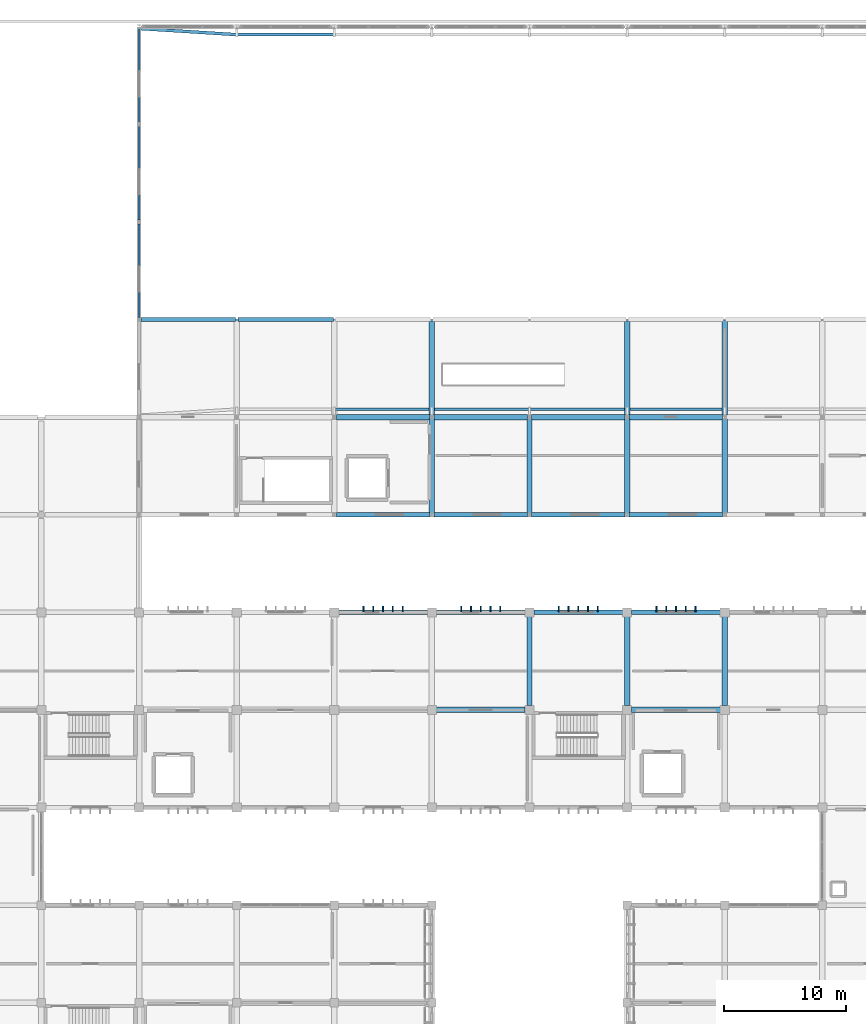
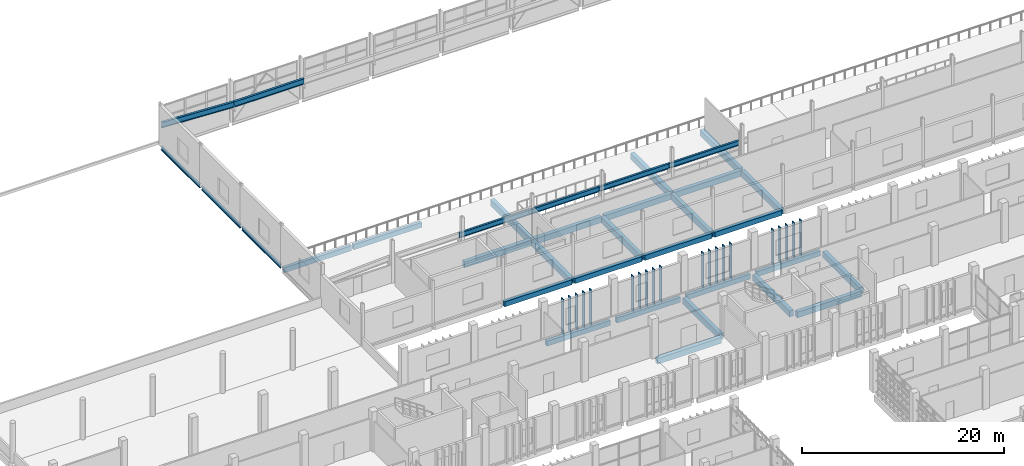
# One storey, part 45 of 106: 35 beams, 20 members.
"""IFC4 building model written with IfcOpenShell, lengths in metres."""

from ifc_helpers import new_model, si_unit, direction, frame, origin, origin_2d, place, context, subcontext, project, spatial, rectangle, i_section, extrude, material, material_profile, profile_set, type_object, element, save


model = new_model("IFC4")

# Units and contexts
model_context = context("Model", 3, precision=1e-05, world=origin(), true_north=direction((0.0, 1.0)))
body_context = subcontext(model_context, "Body", "Model", "MODEL_VIEW")
ifc_project = project(units=[si_unit("LENGTHUNIT", "METRE"), si_unit("AREAUNIT", "SQUARE_METRE"), si_unit("VOLUMEUNIT", "CUBIC_METRE"), si_unit("PLANEANGLEUNIT", "RADIAN"), si_unit("MASSUNIT", "GRAM", prefix="KILO")], contexts=[model_context])

# Site, building, storey
site_placement = place(None, origin())
site = spatial("IfcSite", under=ifc_project, at=site_placement, CompositionType="ELEMENT")
building_placement = place(site_placement, origin())
building = spatial("IfcBuilding", under=site, at=building_placement, Name="Jelvoka-Kovrelna Polytechnic", CompositionType="ELEMENT")
storey_placement = place(building_placement, frame((0.0, 0.0, 4.800048828125)))
storey = spatial("IfcBuildingStorey", under=building, at=storey_placement, Name="L02", CompositionType="ELEMENT", Elevation=4.800048828125)

# Beams
ifc_material_1 = material(Name="Concrete C40/50", Category="concrete")
ifc_material_profile_1 = material_profile(ifc_material_1, rectangle(XDim=0.449951171875, YDim=0.699951171875, at=origin_2d()), Name="RC 450x700")
ifc_profile_set_1 = profile_set([ifc_material_profile_1], Name="Concrete C40/50")
beam_type_1 = type_object("IfcBeamType", Name="Beam_RC_450x700", PredefinedType="BEAM", material=ifc_profile_set_1)
for number, where, z_axis, x_axis, name in (
    (1, (104.164306640625, 88.0, -0.630126953125), (1.0, 0.0, 0.0), (0.0, 1.0, 0.0), "L02 beam 0555"),
    (2, (112.164306640625, 88.0, -0.630126953125), (1.0, 0.0, 0.0), (0.0, 1.0, 0.0), "L02 beam 0556"),
    (3, (120.164306640625, 88.0, -0.630126953125), (1.0, 0.0, 0.0), (0.0, 1.0, 0.0), "L02 beam 0557"),
    (4, (128.164306640625, 88.0, -0.630126953125), (1.0, 0.0, 0.0), (0.0, 1.0, 0.0), "L02 beam 0558"),
):
    element("IfcBeam", number, at=place(storey_placement, frame(where, z_axis=z_axis, x_axis=x_axis)), inside=storey, type_object=beam_type_1, Name=name, PredefinedType="BEAM", context=body_context, shape_type="SweptSolid", body=[
        extrude(rectangle(XDim=0.449951171875, YDim=0.699951171875, at=origin_2d()), origin(), (0.0, 0.0, 1.0), 7.67138671875),
    ])
for number, where, z_axis, x_axis, name in (
    (5, (112.35498046875, 64.0, -0.614990234375), (1.0, 0.0, 0.0), (0.0, 1.0, 0.0), "L02 beam 0801"),
    (6, (128.35498046875, 64.0, -0.614990234375), (1.0, 0.0, 0.0), (0.0, 1.0, 0.0), "L02 beam 0802"),
):
    element("IfcBeam", number, at=place(storey_placement, frame(where, z_axis=z_axis, x_axis=x_axis)), inside=storey, type_object=beam_type_1, Name=name, PredefinedType="BEAM", context=body_context, shape_type="SweptSolid", body=[
        extrude(rectangle(XDim=0.449951171875, YDim=0.699951171875, at=origin_2d()), origin(), (0.0, 0.0, 1.0), 7.2900390625),
    ])
ifc_material_2 = material(Name="Concrete C40/50", Category="concrete")
ifc_material_profile_2 = material_profile(ifc_material_2, rectangle(XDim=0.449951171875, YDim=0.75, at=origin_2d()), Name="RC 450x750")
ifc_profile_set_2 = profile_set([ifc_material_profile_2], Name="Concrete C40/50")
beam_type_2 = type_object("IfcBeamType", Name="Beam_RC_450x750", PredefinedType="BEAM", material=ifc_profile_set_2)
beam_1_placement = place(storey_placement, frame((112.0, 80.15771484375, -0.655029296875), z_axis=(0.0, 1.0, 0.0), x_axis=(-1.0, 0.0, 0.0)))
element("IfcBeam", 7, at=beam_1_placement, inside=storey, type_object=beam_type_2, Name="L02 beam 0572", PredefinedType="BEAM", context=body_context, shape_type="SweptSolid", body=[
    extrude(rectangle(XDim=0.449951171875, YDim=0.75, at=origin_2d()), origin(), (0.0, 0.0, 1.0), 7.6845703125),
])
beam_2_placement = place(storey_placement, frame((112.0, 88.15771484375, -0.655029296875), z_axis=(0.0, 1.0, 0.0), x_axis=(-1.0, 0.0, 0.0)))
element("IfcBeam", 8, at=beam_2_placement, inside=storey, type_object=beam_type_2, Name="L02 beam 0573", PredefinedType="BEAM", context=body_context, shape_type="SweptSolid", body=[
    extrude(rectangle(XDim=0.449951171875, YDim=0.75, at=origin_2d()), origin(), (0.0, 0.0, 1.0), 7.735107421875),
])
for number, where, z_axis, x_axis, name in (
    (9, (120.0, 80.15771484375, -0.655029296875), (0.0, 1.0, 0.0), (-1.0, 0.0, 0.0), "L02 beam 0574"),
    (10, (128.0, 80.15771484375, -0.655029296875), (0.0, 1.0, 0.0), (-1.0, 0.0, 0.0), "L02 beam 0575"),
):
    element("IfcBeam", number, at=place(storey_placement, frame(where, z_axis=z_axis, x_axis=x_axis)), inside=storey, type_object=beam_type_2, Name=name, PredefinedType="BEAM", context=body_context, shape_type="SweptSolid", body=[
        extrude(rectangle(XDim=0.449951171875, YDim=0.75, at=origin_2d()), origin(), (0.0, 0.0, 1.0), 7.6845703125),
    ])
beam_3_placement = place(storey_placement, frame((128.0, 88.15771484375, -0.655029296875), z_axis=(0.0, 1.0, 0.0), x_axis=(-1.0, 0.0, 0.0)))
element("IfcBeam", 11, at=beam_3_placement, inside=storey, type_object=beam_type_2, Name="L02 beam 0576", PredefinedType="BEAM", context=body_context, shape_type="SweptSolid", body=[
    extrude(rectangle(XDim=0.449951171875, YDim=0.75, at=origin_2d()), origin(), (0.0, 0.0, 1.0), 7.735107421875),
])
beam_4_placement = place(storey_placement, frame((136.0, 80.15771484375, -0.655029296875), z_axis=(0.0, 1.0, 0.0), x_axis=(-1.0, 0.0, 0.0)))
element("IfcBeam", 12, at=beam_4_placement, inside=storey, type_object=beam_type_2, Name="L02 beam 0577", PredefinedType="BEAM", context=body_context, shape_type="SweptSolid", body=[
    extrude(rectangle(XDim=0.449951171875, YDim=0.75, at=origin_2d()), origin(), (0.0, 0.0, 1.0), 7.6845703125),
])
beam_5_placement = place(storey_placement, frame((136.0, 88.15771484375, -0.655029296875), z_axis=(0.0, 1.0, 0.0), x_axis=(-1.0, 0.0, 0.0)))
element("IfcBeam", 13, at=beam_5_placement, inside=storey, type_object=beam_type_2, Name="L02 beam 0578", PredefinedType="BEAM", context=body_context, shape_type="SweptSolid", body=[
    extrude(rectangle(XDim=0.449951171875, YDim=0.75, at=origin_2d()), origin(), (0.0, 0.0, 1.0), 7.757568359375),
])
for number, where, z_axis, x_axis, name in (
    (14, (120.0, 64.35498046875, -0.64013671875), (0.0, 1.0, 0.0), (-1.0, 0.0, 0.0), "L02 beam 0820"),
    (15, (128.0, 64.35498046875, -0.64013671875), (0.0, 1.0, 0.0), (-1.0, 0.0, 0.0), "L02 beam 0822"),
    (16, (136.0, 64.35498046875, -0.64013671875), (0.0, 1.0, 0.0), (-1.0, 0.0, 0.0), "L02 beam 0824"),
):
    element("IfcBeam", number, at=place(storey_placement, frame(where, z_axis=z_axis, x_axis=x_axis)), inside=storey, type_object=beam_type_2, Name=name, PredefinedType="BEAM", context=body_context, shape_type="SweptSolid", body=[
        extrude(rectangle(XDim=0.449951171875, YDim=0.75, at=origin_2d()), origin(), (0.0, 0.0, 1.0), 7.2900390625),
    ])
ifc_material_3 = material(Name="Structural steel S355JR", Category="steel")
ifc_material_profile_3 = material_profile(ifc_material_3, i_section(OverallWidth=0.2275390625, OverallDepth=0.6025390625, WebThickness=0.010498046875, FlangeThickness=0.014892578125, FilletRadius=0.0126953125, at=origin_2d()), Name="610x229x101 UB")
ifc_profile_set_3 = profile_set([ifc_material_profile_3], Name="Structural steel S355JR")
beam_type_3 = type_object("IfcBeamType", Name="CraneGirder_UB610", PredefinedType="USERDEFINED", material=ifc_profile_set_3)
for number, where, z_axis, x_axis, name in (
    (17, (104.0, 88.64990234375, 2.501220703125), (1.0, 0.0, 0.0), (0.0, 1.0, 0.0), "L02 workshop crane runway girder 005"),
    (18, (112.0, 88.64990234375, 2.501220703125), (1.0, 0.0, 0.0), (0.0, 1.0, 0.0), "L02 workshop crane runway girder 007"),
    (19, (120.0, 88.64990234375, 2.501220703125), (1.0, 0.0, 0.0), (0.0, 1.0, 0.0), "L02 workshop crane runway girder 009"),
    (20, (128.0, 88.64990234375, 2.501220703125), (1.0, 0.0, 0.0), (0.0, 1.0, 0.0), "L02 workshop crane runway girder 011"),
):
    element("IfcBeam", number, at=place(storey_placement, frame(where, z_axis=z_axis, x_axis=x_axis)), inside=storey, type_object=beam_type_3, Name=name, ObjectType="CRANE RUNWAY", PredefinedType="USERDEFINED", context=body_context, shape_type="SweptSolid", body=[
        extrude(i_section(OverallWidth=0.2275390625, OverallDepth=0.6025390625, WebThickness=0.010498046875, FlangeThickness=0.014892578125, FilletRadius=0.0126953125, at=origin_2d()), origin(), (0.0, 0.0, 1.0), 8.0),
    ])
ifc_material_4 = material(Name="Structural steel S355JR", Category="steel")
ifc_material_profile_4 = material_profile(ifc_material_4, i_section(OverallWidth=0.2529296875, OverallDepth=0.677978515625, WebThickness=0.01171875, FlangeThickness=0.01611328125, FilletRadius=0.01513671875, at=origin_2d()), Name="686x254x125 UB")
ifc_profile_set_4 = profile_set([ifc_material_profile_4], Name="Structural steel S355JR")
beam_type_4 = type_object("IfcBeamType", Name="CraneGirder_UB686", PredefinedType="USERDEFINED", material=ifc_profile_set_4)
beam_6_placement = place(storey_placement, frame((88.0, 119.85009765625, 2.538818359375), z_axis=(0.998052578483, -0.062378286155, 0.0), x_axis=(0.062378286155, 0.998052578483, 0.0)))
element("IfcBeam", 21, at=beam_6_placement, inside=storey, type_object=beam_type_4, Name="L02 workshop crane runway girder 002", ObjectType="CRANE RUNWAY", PredefinedType="USERDEFINED", context=body_context, shape_type="SweptSolid", body=[
    extrude(i_section(OverallWidth=0.2529296875, OverallDepth=0.677978515625, WebThickness=0.01171875, FlangeThickness=0.01611328125, FilletRadius=0.01513671875, at=origin_2d()), origin(), (0.0, 0.0, 1.0), 8.015625),
])
beam_7_placement = place(storey_placement, frame((96.0, 119.35009765625, 2.538818359375), z_axis=(1.0, 0.0, 0.0), x_axis=(0.0, 1.0, 0.0)))
element("IfcBeam", 22, at=beam_7_placement, inside=storey, type_object=beam_type_4, Name="L02 workshop crane runway girder 004", ObjectType="CRANE RUNWAY", PredefinedType="USERDEFINED", context=body_context, shape_type="SweptSolid", body=[
    extrude(i_section(OverallWidth=0.2529296875, OverallDepth=0.677978515625, WebThickness=0.01171875, FlangeThickness=0.01611328125, FilletRadius=0.01513671875, at=origin_2d()), origin(), (0.0, 0.0, 1.0), 8.0),
])
ifc_material_5 = material(Name="Structural steel S355JR", Category="steel")
ifc_material_profile_5 = material_profile(ifc_material_5, i_section(OverallWidth=0.18994140625, OverallDepth=0.453369140625, WebThickness=0.008544921875, FlangeThickness=0.0126953125, FilletRadius=0.01025390625, at=origin_2d()), Name="457x191x67 UB")
ifc_profile_set_5 = profile_set([ifc_material_profile_5], Name="Structural steel S355JR")
beam_type_5 = type_object("IfcBeamType", Name="Girder_Steel_UB457", PredefinedType="BEAM", material=ifc_profile_set_5)
for number, where, z_axis, x_axis, name in (
    (23, (88.0, 96.15771484375, -0.226806640625), (0.0, 1.0, 0.0), (-1.0, 0.0, 0.0), "L02 beam 0078"),
    (24, (88.0, 104.15771484375, -0.226806640625), (0.0, 1.0, 0.0), (-1.0, 0.0, 0.0), "L02 beam 0082"),
    (25, (88.0, 112.15771484375, -0.226806640625), (0.0, 1.0, 0.0), (-1.0, 0.0, 0.0), "L02 beam 0086"),
):
    element("IfcBeam", number, at=place(storey_placement, frame(where, z_axis=z_axis, x_axis=x_axis)), inside=storey, type_object=beam_type_5, Name=name, PredefinedType="BEAM", context=body_context, shape_type="SweptSolid", body=[
        extrude(i_section(OverallWidth=0.18994140625, OverallDepth=0.453369140625, WebThickness=0.008544921875, FlangeThickness=0.0126953125, FilletRadius=0.01025390625, at=origin_2d()), origin(), (0.0, 0.0, 1.0), 7.6845703125),
    ])

# Members
ifc_material_6 = material(Name="Precast concrete C40/50", Category="concrete")
ifc_material_profile_6 = material_profile(ifc_material_6, rectangle(XDim=0.10009765625, YDim=0.449951171875, at=origin_2d()), Name="PC 100x450")
ifc_profile_set_6 = profile_set([ifc_material_profile_6], Name="Precast concrete C40/50")
member_type = type_object("IfcMemberType", Name="Louvre_Fin_100x450", PredefinedType="USERDEFINED", material=ifc_profile_set_6)
for number, where, z_axis, x_axis, name in (
    (26, (106.39990234375, 72.264892578125, -0.27001953125), (0.0, 0.0, 1.0), (1.0, 0.0, 0.0), "L02 B3 north vertical solar louvre fin 1361"),
    (27, (107.199951171875, 72.264892578125, -0.27001953125), (0.0, 0.0, 1.0), (1.0, 0.0, 0.0), "L02 B3 north vertical solar louvre fin 1362"),
    (28, (108.0, 72.264892578125, -0.27001953125), (0.0, 0.0, 1.0), (1.0, 0.0, 0.0), "L02 B3 north vertical solar louvre fin 1363"),
    (29, (108.800048828125, 72.264892578125, -0.27001953125), (0.0, 0.0, 1.0), (1.0, 0.0, 0.0), "L02 B3 north vertical solar louvre fin 1364"),
    (30, (109.60009765625, 72.264892578125, -0.27001953125), (0.0, 0.0, 1.0), (1.0, 0.0, 0.0), "L02 B3 north vertical solar louvre fin 1365"),
    (31, (114.39990234375, 72.264892578125, -0.27001953125), (0.0, 0.0, 1.0), (1.0, 0.0, 0.0), "L02 B3 north vertical solar louvre fin 1371"),
    (32, (115.199951171875, 72.264892578125, -0.27001953125), (0.0, 0.0, 1.0), (1.0, 0.0, 0.0), "L02 B3 north vertical solar louvre fin 1372"),
    (33, (116.0, 72.264892578125, -0.27001953125), (0.0, 0.0, 1.0), (1.0, 0.0, 0.0), "L02 B3 north vertical solar louvre fin 1373"),
    (34, (116.800048828125, 72.264892578125, -0.27001953125), (0.0, 0.0, 1.0), (1.0, 0.0, 0.0), "L02 B3 north vertical solar louvre fin 1374"),
    (35, (117.60009765625, 72.264892578125, -0.27001953125), (0.0, 0.0, 1.0), (1.0, 0.0, 0.0), "L02 B3 north vertical solar louvre fin 1375"),
    (36, (122.39990234375, 72.264892578125, -0.27001953125), (0.0, 0.0, 1.0), (1.0, 0.0, 0.0), "L02 B3 north vertical solar louvre fin 1381"),
    (37, (123.199951171875, 72.264892578125, -0.27001953125), (0.0, 0.0, 1.0), (1.0, 0.0, 0.0), "L02 B3 north vertical solar louvre fin 1382"),
    (38, (124.0, 72.264892578125, -0.27001953125), (0.0, 0.0, 1.0), (1.0, 0.0, 0.0), "L02 B3 north vertical solar louvre fin 1383"),
    (39, (124.800048828125, 72.264892578125, -0.27001953125), (0.0, 0.0, 1.0), (1.0, 0.0, 0.0), "L02 B3 north vertical solar louvre fin 1384"),
    (40, (125.60009765625, 72.264892578125, -0.27001953125), (0.0, 0.0, 1.0), (1.0, 0.0, 0.0), "L02 B3 north vertical solar louvre fin 1385"),
    (41, (130.39990234375, 72.264892578125, -0.27001953125), (0.0, 0.0, 1.0), (1.0, 0.0, 0.0), "L02 B3 north vertical solar louvre fin 1391"),
    (42, (131.199951171875, 72.264892578125, -0.27001953125), (0.0, 0.0, 1.0), (1.0, 0.0, 0.0), "L02 B3 north vertical solar louvre fin 1392"),
    (43, (132.0, 72.264892578125, -0.27001953125), (0.0, 0.0, 1.0), (1.0, 0.0, 0.0), "L02 B3 north vertical solar louvre fin 1393"),
    (44, (132.800048828125, 72.264892578125, -0.27001953125), (0.0, 0.0, 1.0), (1.0, 0.0, 0.0), "L02 B3 north vertical solar louvre fin 1394"),
    (45, (133.60009765625, 72.264892578125, -0.27001953125), (0.0, 0.0, 1.0), (1.0, 0.0, 0.0), "L02 B3 north vertical solar louvre fin 1395"),
):
    element("IfcMember", number, at=place(storey_placement, frame(where, z_axis=z_axis, x_axis=x_axis)), inside=storey, type_object=member_type, Name=name, ObjectType="SUNSHADE", PredefinedType="USERDEFINED", context=body_context, shape_type="SweptSolid", body=[
        extrude(rectangle(XDim=0.10009765625, YDim=0.449951171875, at=origin_2d()), origin(), (0.0, 0.0, 1.0), 4.22998046875),
    ])

# Beams
ifc_material_7 = material(Name="Concrete C40/50", Category="concrete")
ifc_material_profile_7 = material_profile(ifc_material_7, rectangle(XDim=0.35009765625, YDim=0.60009765625, at=origin_2d()), Name="RC 350x600")
ifc_profile_set_7 = profile_set([ifc_material_profile_7], Name="Concrete C40/50")
beam_type_6 = type_object("IfcBeamType", Name="Spandrel_RC_350x600", PredefinedType="SPANDREL", material=ifc_profile_set_7)
for number, where, z_axis, x_axis, name in (
    (46, (104.164306640625, 80.0, -0.580078125), (1.0, 0.0, 0.0), (0.0, 1.0, 0.0), "L02 beam 0548"),
    (47, (112.164306640625, 80.0, -0.580078125), (1.0, 0.0, 0.0), (0.0, 1.0, 0.0), "L02 beam 0549"),
    (48, (120.164306640625, 80.0, -0.580078125), (1.0, 0.0, 0.0), (0.0, 1.0, 0.0), "L02 beam 0550"),
    (49, (128.164306640625, 80.0, -0.580078125), (1.0, 0.0, 0.0), (0.0, 1.0, 0.0), "L02 beam 0551"),
):
    element("IfcBeam", number, at=place(storey_placement, frame(where, z_axis=z_axis, x_axis=x_axis)), inside=storey, type_object=beam_type_6, Name=name, PredefinedType="SPANDREL", context=body_context, shape_type="SweptSolid", body=[
        extrude(rectangle(XDim=0.35009765625, YDim=0.60009765625, at=origin_2d()), origin(), (0.0, 0.0, 1.0), 7.67138671875),
    ])
beam_8_placement = place(storey_placement, frame((88.164306640625, 96.0, -0.580078125), z_axis=(1.0, 0.0, 0.0), x_axis=(0.0, 1.0, 0.0)))
element("IfcBeam", 50, at=beam_8_placement, inside=storey, type_object=beam_type_6, Name="L02 beam 0560", PredefinedType="SPANDREL", context=body_context, shape_type="SweptSolid", body=[
    extrude(rectangle(XDim=0.35009765625, YDim=0.60009765625, at=origin_2d()), origin(), (0.0, 0.0, 1.0), 7.728271484375),
])
beam_9_placement = place(storey_placement, frame((96.107421875, 96.0, -0.580078125), z_axis=(1.0, 0.0, 0.0), x_axis=(0.0, 1.0, 0.0)))
element("IfcBeam", 51, at=beam_9_placement, inside=storey, type_object=beam_type_6, Name="L02 beam 0561", PredefinedType="SPANDREL", context=body_context, shape_type="SweptSolid", body=[
    extrude(rectangle(XDim=0.35009765625, YDim=0.60009765625, at=origin_2d()), origin(), (0.0, 0.0, 1.0), 7.8095703125),
])
for number, where, z_axis, x_axis, name in (
    (52, (104.35498046875, 72.0, -0.56494140625), (1.0, 0.0, 0.0), (0.0, 1.0, 0.0), "L02 beam 0774"),
    (53, (112.35498046875, 72.0, -0.56494140625), (1.0, 0.0, 0.0), (0.0, 1.0, 0.0), "L02 beam 0809"),
    (54, (120.35498046875, 72.0, -0.56494140625), (1.0, 0.0, 0.0), (0.0, 1.0, 0.0), "L02 beam 0810"),
    (55, (128.35498046875, 72.0, -0.56494140625), (1.0, 0.0, 0.0), (0.0, 1.0, 0.0), "L02 beam 0811"),
):
    element("IfcBeam", number, at=place(storey_placement, frame(where, z_axis=z_axis, x_axis=x_axis)), inside=storey, type_object=beam_type_6, Name=name, PredefinedType="SPANDREL", context=body_context, shape_type="SweptSolid", body=[
        extrude(rectangle(XDim=0.35009765625, YDim=0.60009765625, at=origin_2d()), origin(), (0.0, 0.0, 1.0), 7.2900390625),
    ])

save(model, "model.ifc")
